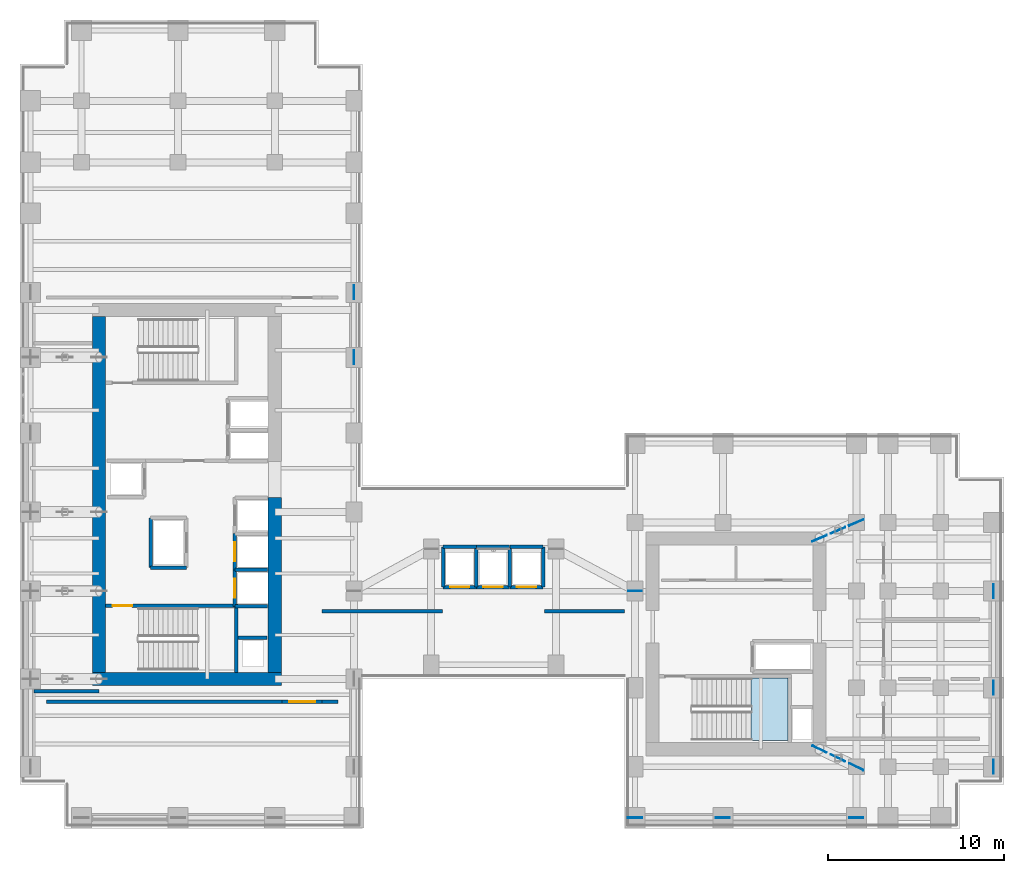
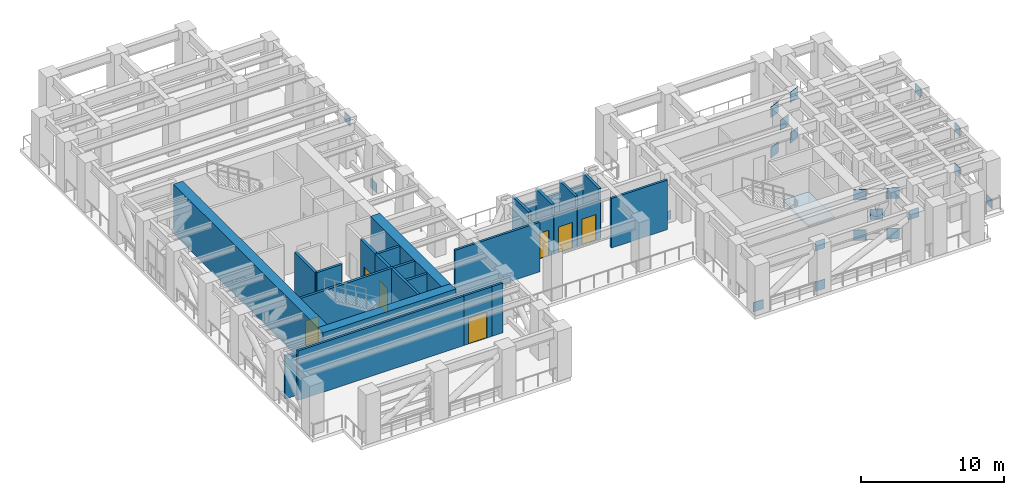
# One storey, part 9 of 16: 28 walls, 21 plates, 7 doors, 1 slab, 7 openings, 1 element without a shape of its own.
"""IFC4 building model written with IfcOpenShell, lengths in metres."""

from ifc_helpers import new_model, si_unit, direction, frame, frame_2d, origin, origin_2d, place, context, subcontext, project, spatial, polyline, rectangle, outline, extrude, source, transform, mapped, material, layer, layer_set, type_object, element, fill, aggregate, save


model = new_model("IFC4")

# Units and contexts
model_context = context("Model", 3, precision=1e-05, world=origin(), true_north=direction((0.0, 1.0)))
body_context = subcontext(model_context, "Body", "Model", "MODEL_VIEW")
ifc_project = project(units=[si_unit("LENGTHUNIT", "METRE"), si_unit("AREAUNIT", "SQUARE_METRE"), si_unit("VOLUMEUNIT", "CUBIC_METRE"), si_unit("PLANEANGLEUNIT", "RADIAN"), si_unit("MASSUNIT", "GRAM", prefix="KILO")], contexts=[model_context])

# Site, building, storey
site_placement = place(None, origin())
site = spatial("IfcSite", under=ifc_project, at=site_placement, CompositionType="ELEMENT")
building_placement = place(site_placement, origin())
building = spatial("IfcBuilding", under=site, at=building_placement, Name="Kharzan Plaza Tower", CompositionType="ELEMENT")
storey_placement = place(building_placement, frame((0.0, 0.0, 138.60009765625)))
storey = spatial("IfcBuildingStorey", under=building, at=storey_placement, Name="L37", CompositionType="ELEMENT", Elevation=138.60009765625)

# Stair, slab
ifc_material_1 = material(Name="Concrete C40/50", Category="concrete")
stair_type = type_object("IfcStairType", Name="STR-ST-3", PredefinedType="HALF_TURN_STAIR", material=ifc_material_1)
stair_placement = place(storey_placement, origin())
stair = element("IfcStair", 1, at=stair_placement, inside=storey, type_object=stair_type, Name="L37 Protected Exit Stair ST-3", PredefinedType="HALF_TURN_STAIR")
ifc_layer_1 = layer(ifc_material_1, 0.219970703125)
ifc_layer_set_1 = layer_set([ifc_layer_1], Name="Concrete C40/50")
slab_type = type_object("IfcSlabType", Name="SL-LANDING-220", PredefinedType="LANDING", material=ifc_layer_set_1)
slab_placement = place(storey_placement, frame((0.0, 0.0, 2.0498046875)))
slab = element("IfcSlab", 2, at=slab_placement, type_object=slab_type, Name="ST-3 landing 1", PredefinedType="LANDING", context=body_context, shape_type="SweptSolid", body=[
    extrude(outline(polyline([(41.610107421875, 5.0), (43.699951171875, 5.0), (43.699951171875, 8.550048828125), (41.610107421875, 8.550048828125), (41.610107421875, 5.0)])), origin(), (0.0, 0.0, 1.0), 0.2001953125),
])
aggregate(stair, [slab])

# Plates
ifc_material_2 = material(Name="Steel S460", Category="steel")
ifc_layer_2 = layer(ifc_material_2, 0.0400390625)
ifc_layer_set_2 = layer_set([ifc_layer_2], Name="Steel S460")
plate_type_1 = type_object("IfcPlateType", Name="PLT-BTN1", PredefinedType="USERDEFINED", material=ifc_layer_set_2)
shared_shape_1 = source(origin(), body_context, "Body", "SweptSolid", [
    extrude(rectangle(XDim=0.800048828125, YDim=0.0400390625, at=origin_2d()), origin(), (0.0, 0.0, 1.0), 0.800048828125),
])
for number, where, z_axis, x_axis, name in (
    (3, (19.0, 26.800048828125, -0.05029296875), (0.0, 0.0, 1.0), (0.0, 1.0, 0.0), "L37 Belt Truss Node Gusset Plate BTN1-BTA-2"),
    (4, (19.0, 30.5, 3.40966796875), (0.0, 0.0, 1.0), (0.0, 1.0, 0.0), "L37 Belt Truss Node Gusset Plate BTN1-T-BTA-2"),
    (5, (55.39990234375, 3.5, -0.05029296875), (0.0, 0.0, 1.0), (0.0, 1.0, 0.0), "L37 Belt Truss Node Gusset Plate BTN1-BTE-1"),
    (6, (55.39990234375, 8.0, 3.40966796875), (0.0, 0.0, 1.0), (0.0, 1.0, 0.0), "L37 Belt Truss Node Gusset Plate BTN1-T-BTE-1"),
    (7, (55.39990234375, 8.0, -0.05029296875), (0.0, 0.0, 1.0), (0.0, 1.0, 0.0), "L37 Belt Truss Node Gusset Plate BTN1-BTE-2"),
    (8, (55.39990234375, 13.5, 3.40966796875), (0.0, 0.0, 1.0), (0.0, 1.0, 0.0), "L37 Belt Truss Node Gusset Plate BTN1-T-BTE-2"),
    (9, (35.0, 0.60009765625, -0.05029296875), (0.0, 0.0, 1.0), (1.0, 0.0, 0.0), "L37 Belt Truss Node Gusset Plate BTN1-BTS-3"),
    (10, (40.0, 0.60009765625, 3.40966796875), (0.0, 0.0, 1.0), (1.0, 0.0, 0.0), "L37 Belt Truss Node Gusset Plate BTN1-T-BTS-3"),
    (11, (40.0, 0.60009765625, -0.05029296875), (0.0, 0.0, 1.0), (1.0, 0.0, 0.0), "L37 Belt Truss Node Gusset Plate BTN1-BTS-4"),
    (12, (47.60009765625, 0.60009765625, 3.40966796875), (0.0, 0.0, 1.0), (1.0, 0.0, 0.0), "L37 Belt Truss Node Gusset Plate BTN1-T-BTS-4"),
):
    element("IfcPlate", number, at=place(storey_placement, frame(where, z_axis=z_axis, x_axis=x_axis)), inside=storey, type_object=plate_type_1, Name=name, ObjectType="GUSSET_PLATE", PredefinedType="USERDEFINED", context=body_context, shape_type="MappedRepresentation", body=[
        mapped(shared_shape_1, transform((0.0, 0.0, 0.0), x_axis=(1.0, 0.0, 0.0), y_axis=(0.0, 1.0, 0.0), z_axis=(0.0, 0.0, 1.0))),
    ])
ifc_layer_3 = layer(ifc_material_2, 0.044921875)
ifc_layer_set_3 = layer_set([ifc_layer_3], Name="Steel S460")
plate_type_2 = type_object("IfcPlateType", Name="PLT-OTN1", PredefinedType="USERDEFINED", material=ifc_layer_set_3)
shared_shape_2 = source(origin(), body_context, "Body", "SweptSolid", [
    extrude(rectangle(XDim=0.89990234375, YDim=0.044921875, at=origin_2d()), origin(), (0.0, 0.0, 1.0), 0.89990234375),
])
for number, where, z_axis, x_axis, name in (
    (13, (45.5, 4.5, -0.10009765625), (0.0, 0.0, 1.0), (0.902860856957, -0.429932870312, 0.0), "L37 Outrigger Truss Gusset Node Plate OTN1-OTB-E1"),
    (14, (47.60009765625, 3.5, -0.10009765625), (0.0, 0.0, 1.0), (0.902860856957, -0.429932870312, 0.0), "L37 Outrigger Truss Gusset Node Plate OTN1-CB-OTB-E1"),
    (15, (47.60009765625, 3.5, 3.35986328125), (0.0, 0.0, 1.0), (0.902860856957, -0.429932870312, 0.0), "L37 Outrigger Truss Gusset Node Plate OTN1-CT-OTB-E1"),
    (16, (46.550048828125, 4.0, 1.6298828125), (0.0, 0.0, 1.0), (0.902860856957, -0.429932870312, 0.0), "L37 Outrigger Truss Gusset Node Plate OTN1-M-OTB-E1"),
    (17, (45.5, 4.5, 3.35986328125), (0.0, 0.0, 1.0), (0.902860856957, -0.429932870312, 0.0), "L37 Outrigger Truss Gusset Node Plate OTN1-T-OTB-E1"),
    (18, (45.5, 16.5, -0.10009765625), (0.0, 0.0, 1.0), (0.919144964798, 0.39391945076, 0.0), "L37 Outrigger Truss Gusset Node Plate OTN1-OTB-E2"),
    (19, (47.60009765625, 17.39990234375, -0.10009765625), (0.0, 0.0, 1.0), (0.919144964798, 0.39391945076, 0.0), "L37 Outrigger Truss Gusset Node Plate OTN1-CB-OTB-E2"),
    (20, (47.60009765625, 17.39990234375, 3.35986328125), (0.0, 0.0, 1.0), (0.919144964798, 0.39391945076, 0.0), "L37 Outrigger Truss Gusset Node Plate OTN1-CT-OTB-E2"),
    (21, (46.550048828125, 16.949951171875, 1.6298828125), (0.0, 0.0, 1.0), (0.919144964798, 0.39391945076, 0.0), "L37 Outrigger Truss Gusset Node Plate OTN1-M-OTB-E2"),
    (22, (45.5, 16.5, 3.35986328125), (0.0, 0.0, 1.0), (0.919144964798, 0.39391945076, 0.0), "L37 Outrigger Truss Gusset Node Plate OTN1-T-OTB-E2"),
):
    element("IfcPlate", number, at=place(storey_placement, frame(where, z_axis=z_axis, x_axis=x_axis)), inside=storey, type_object=plate_type_2, Name=name, ObjectType="GUSSET_PLATE", PredefinedType="USERDEFINED", context=body_context, shape_type="MappedRepresentation", body=[
        mapped(shared_shape_2, transform((0.0, 0.0, 0.0), x_axis=(1.0, 0.0, 0.0), y_axis=(0.0, 1.0, 0.0), z_axis=(0.0, 0.0, 1.0))),
    ])
ifc_layer_4 = layer(ifc_material_2, 0.0380859375)
ifc_layer_set_4 = layer_set([ifc_layer_4], Name="Steel S460")
plate_type_3 = type_object("IfcPlateType", Name="PLT-WPN1", PredefinedType="USERDEFINED", material=ifc_layer_set_4)
shared_shape_3 = source(origin(), body_context, "Body", "SweptSolid", [
    extrude(rectangle(XDim=0.75, YDim=0.0380859375, at=origin_2d()), origin(), (0.0, 0.0, 1.0), 0.75),
])
plate_placement = place(storey_placement, frame((35.0, 13.5, -0.175048828125), z_axis=(0.0, 0.0, 1.0), x_axis=(1.0, 0.0, 0.0)))
element("IfcPlate", 23, at=plate_placement, inside=storey, type_object=plate_type_3, Name="L37 Wind Portal Node Gusset Plate WPN1-EB", ObjectType="GUSSET_PLATE", PredefinedType="USERDEFINED", context=body_context, shape_type="MappedRepresentation", body=[
    mapped(shared_shape_3, transform((0.0, 0.0, 0.0), x_axis=(1.0, 0.0, 0.0), y_axis=(0.0, 1.0, 0.0), z_axis=(0.0, 0.0, 1.0))),
])

# Wall, opening, door
ifc_layer_5 = layer(ifc_material_1, 0.179931640625)
ifc_layer_set_5 = layer_set([ifc_layer_5], Name="Concrete C40/50")
wall_type_1 = type_object("IfcWallType", Name="WL-INT-FIRE-180", PredefinedType="PARTITIONING", material=ifc_layer_set_5)
wall_1_placement = place(storey_placement, frame((14.919921875, 7.199951171875, 0.0), z_axis=(0.0, 0.0, 1.0), x_axis=(1.0, 0.0, 0.0)))
wall_1 = element("IfcWall", 24, at=wall_1_placement, inside=storey, type_object=wall_type_1, Name="L37 Interior Partition MR-AHUD", PredefinedType="PARTITIONING", context=body_context, shape_type="SweptSolid", body=[
    extrude(rectangle(XDim=2.280029296875, YDim=0.179931640625, at=frame_2d((1.14013671875, 0.0))), origin(), (0.0, 0.0, 1.0), 4.244873046875),
])
opening_1_placement = place(wall_1_placement, frame((0.389892578125, 0.0, 0.0)))
opening_1 = element("IfcOpeningElement", 25, at=opening_1_placement, cuts=wall_1, Name="Opening PD1", PredefinedType="OPENING", context=body_context, shape_type="SweptSolid", body=[
    extrude(rectangle(XDim=1.5, YDim=2.199951171875, at=frame_2d((0.75, 1.10009765625))), frame((0.0, 0.099853515625, 0.0), z_axis=(0.0, -1.0, 0.0), x_axis=(1.0, 0.0, 0.0)), (0.0, 0.0, 1.0), 0.199951171875),
])
ifc_material_3 = material(Name="Galvanized Louvred Acoustic Steel", Category="steel")
door_type_1 = type_object("IfcDoorType", Name="DR-PLANT-DBL", OperationType="DOUBLE_DOOR_SINGLE_SWING", PredefinedType="DOOR", material=ifc_material_3)
shared_shape_4 = source(origin(), body_context, "Body", "SweptSolid", [
    extrude(rectangle(XDim=1.5, YDim=2.199951171875, at=frame_2d((0.75, 1.10009765625))), frame((0.0, 0.02490234375, 0.0), z_axis=(0.0, -1.0, 0.0), x_axis=(1.0, 0.0, 0.0)), (0.0, 0.0, 1.0), 0.050048828125),
])
door_1_placement = place(opening_1_placement, origin())
door_1 = element("IfcDoor", 26, at=door_1_placement, inside=storey, type_object=door_type_1, Name="L37 AHU Plant Double Door", OperationType="DOUBLE_DOOR_SINGLE_SWING", OverallHeight=2.199951171875, OverallWidth=1.5, PredefinedType="DOOR", context=body_context, shape_type="MappedRepresentation", body=[
    mapped(shared_shape_4, transform((0.0, 0.0, 0.0), x_axis=(1.0, 0.0, 0.0), y_axis=(0.0, 1.0, 0.0), z_axis=(0.0, 0.0, 1.0))),
])
fill(opening_1, door_1)

ifc_layer_6 = layer(ifc_material_1, 0.199951171875)
ifc_layer_set_6 = layer_set([ifc_layer_6], Name="Concrete C40/50")
wall_type_2 = type_object("IfcWallType", Name="WL-INT-SHAFT-200", PredefinedType="PARTITIONING", material=ifc_layer_set_6)
wall_2_placement = place(storey_placement, frame((12.22998046875, 12.6298828125, 0.0), z_axis=(0.0, 0.0, 1.0), x_axis=(0.0, 1.0, 0.0)))
wall_2 = element("IfcWall", 27, at=wall_2_placement, inside=storey, type_object=wall_type_2, Name="L37 Interior Partition SHF-PL-H1-W", PredefinedType="PARTITIONING", context=body_context, shape_type="SweptSolid", body=[
    extrude(rectangle(XDim=2.070068359375, YDim=0.199951171875, at=frame_2d((1.03515625, 0.0))), origin(), (0.0, 0.0, 1.0), 4.244873046875),
])
opening_2_placement = place(wall_2_placement, frame((0.485107421875, 0.0, 0.0)))
opening_2 = element("IfcOpeningElement", 28, at=opening_2_placement, cuts=wall_2, Name="Opening LD", PredefinedType="OPENING", context=body_context, shape_type="SweptSolid", body=[
    extrude(rectangle(XDim=1.10009765625, YDim=2.199951171875, at=frame_2d((0.550048828125, 1.10009765625))), frame((0.0, 0.10986328125, 0.0), z_axis=(0.0, -1.0, 0.0), x_axis=(1.0, 0.0, 0.0)), (0.0, 0.0, 1.0), 0.219970703125),
])
ifc_material_4 = material(Name="Brushed Stainless Steel", Category="steel")
door_type_2 = type_object("IfcDoorType", Name="DR-LIFT-SLIDE", OperationType="SLIDING_TO_LEFT", PredefinedType="DOOR", material=ifc_material_4)
shared_shape_5 = source(origin(), body_context, "Body", "SweptSolid", [
    extrude(rectangle(XDim=1.10009765625, YDim=2.199951171875, at=frame_2d((0.550048828125, 1.10009765625))), frame((0.0, 0.02490234375, 0.0), z_axis=(0.0, -1.0, 0.0), x_axis=(1.0, 0.0, 0.0)), (0.0, 0.0, 1.0), 0.050048828125),
])
door_2_placement = place(opening_2_placement, origin())
door_2 = element("IfcDoor", 29, at=door_2_placement, inside=storey, type_object=door_type_2, Name="L37 High-Rise Passenger Lift PL-H1 Sliding Landing Door", OperationType="SLIDING_TO_LEFT", OverallHeight=2.199951171875, OverallWidth=1.10009765625, PredefinedType="DOOR", context=body_context, shape_type="MappedRepresentation", body=[
    mapped(shared_shape_5, transform((0.0, 0.0, 0.0), x_axis=(1.0, 0.0, 0.0), y_axis=(0.0, 1.0, 0.0), z_axis=(0.0, 0.0, 1.0))),
])
fill(opening_2, door_2)

wall_3_placement = place(storey_placement, frame((12.22998046875, 14.699951171875, 0.0), z_axis=(0.0, 0.0, 1.0), x_axis=(0.0, 1.0, 0.0)))
wall_3 = element("IfcWall", 30, at=wall_3_placement, inside=storey, type_object=wall_type_2, Name="L37 Interior Partition SHF-PL-H2-W", PredefinedType="PARTITIONING", context=body_context, shape_type="SweptSolid", body=[
    extrude(rectangle(XDim=2.070068359375, YDim=0.199951171875, at=frame_2d((1.03515625, 0.0))), origin(), (0.0, 0.0, 1.0), 4.244873046875),
])
opening_3_placement = place(wall_3_placement, frame((0.485107421875, 0.0, 0.0)))
opening_3 = element("IfcOpeningElement", 31, at=opening_3_placement, cuts=wall_3, Name="Opening LD", PredefinedType="OPENING", context=body_context, shape_type="SweptSolid", body=[
    extrude(rectangle(XDim=1.10009765625, YDim=2.199951171875, at=frame_2d((0.550048828125, 1.10009765625))), frame((0.0, 0.10986328125, 0.0), z_axis=(0.0, -1.0, 0.0), x_axis=(1.0, 0.0, 0.0)), (0.0, 0.0, 1.0), 0.219970703125),
])
door_3_placement = place(opening_3_placement, origin())
door_3 = element("IfcDoor", 32, at=door_3_placement, inside=storey, type_object=door_type_2, Name="L37 High-Rise Passenger Lift PL-H2 Sliding Landing Door", OperationType="SLIDING_TO_LEFT", OverallHeight=2.199951171875, OverallWidth=1.10009765625, PredefinedType="DOOR", context=body_context, shape_type="MappedRepresentation", body=[
    mapped(shared_shape_5, transform((0.0, 0.0, 0.0), x_axis=(1.0, 0.0, 0.0), y_axis=(0.0, 1.0, 0.0), z_axis=(0.0, 0.0, 1.0))),
])
fill(opening_3, door_3)

wall_4_placement = place(storey_placement, frame((24.080078125, 13.72998046875, 0.0), z_axis=(0.0, 0.0, 1.0), x_axis=(1.0, 0.0, 0.0)))
wall_4 = element("IfcWall", 33, at=wall_4_placement, inside=storey, type_object=wall_type_2, Name="L37 Interior Partition SHF-PL-M1-S", PredefinedType="PARTITIONING", context=body_context, shape_type="SweptSolid", body=[
    extrude(rectangle(XDim=1.889892578125, YDim=0.199951171875, at=frame_2d((0.94482421875, 0.0))), origin(), (0.0, 0.0, 1.0), 3.325927734375),
])
opening_4_placement = place(wall_4_placement, frame((0.39501953125, 0.0, 0.0)))
opening_4 = element("IfcOpeningElement", 34, at=opening_4_placement, cuts=wall_4, Name="Opening LD", PredefinedType="OPENING", context=body_context, shape_type="SweptSolid", body=[
    extrude(rectangle(XDim=1.10009765625, YDim=2.199951171875, at=frame_2d((0.550048828125, 1.10009765625))), frame((0.0, 0.10986328125, 0.0), z_axis=(0.0, -1.0, 0.0), x_axis=(1.0, 0.0, 0.0)), (0.0, 0.0, 1.0), 0.219970703125),
])
door_4_placement = place(opening_4_placement, origin())
door_4 = element("IfcDoor", 35, at=door_4_placement, inside=storey, type_object=door_type_2, Name="L37 Mid-Rise Passenger Lift PL-M1 Sliding Landing Door", OperationType="SLIDING_TO_LEFT", OverallHeight=2.199951171875, OverallWidth=1.10009765625, PredefinedType="DOOR", context=body_context, shape_type="MappedRepresentation", body=[
    mapped(shared_shape_5, transform((0.0, 0.0, 0.0), x_axis=(1.0, 0.0, 0.0), y_axis=(0.0, 1.0, 0.0), z_axis=(0.0, 0.0, 1.0))),
])
fill(opening_4, door_4)

wall_5_placement = place(storey_placement, frame((25.97998046875, 13.72998046875, 0.0), z_axis=(0.0, 0.0, 1.0), x_axis=(1.0, 0.0, 0.0)))
wall_5 = element("IfcWall", 36, at=wall_5_placement, inside=storey, type_object=wall_type_2, Name="L37 Interior Partition SHF-PL-M2-S", PredefinedType="PARTITIONING", context=body_context, shape_type="SweptSolid", body=[
    extrude(rectangle(XDim=1.89013671875, YDim=0.199951171875, at=frame_2d((0.945068359375, 0.0))), origin(), (0.0, 0.0, 1.0), 3.325927734375),
])
opening_5_placement = place(wall_5_placement, frame((0.39501953125, 0.0, 0.0)))
opening_5 = element("IfcOpeningElement", 37, at=opening_5_placement, cuts=wall_5, Name="Opening LD", PredefinedType="OPENING", context=body_context, shape_type="SweptSolid", body=[
    extrude(rectangle(XDim=1.10009765625, YDim=2.199951171875, at=frame_2d((0.550048828125, 1.10009765625))), frame((0.0, 0.10986328125, 0.0), z_axis=(0.0, -1.0, 0.0), x_axis=(1.0, 0.0, 0.0)), (0.0, 0.0, 1.0), 0.219970703125),
])
door_5_placement = place(opening_5_placement, origin())
door_5 = element("IfcDoor", 38, at=door_5_placement, inside=storey, type_object=door_type_2, Name="L37 Mid-Rise Passenger Lift PL-M2 Sliding Landing Door", OperationType="SLIDING_TO_LEFT", OverallHeight=2.199951171875, OverallWidth=1.10009765625, PredefinedType="DOOR", context=body_context, shape_type="MappedRepresentation", body=[
    mapped(shared_shape_5, transform((0.0, 0.0, 0.0), x_axis=(1.0, 0.0, 0.0), y_axis=(0.0, 1.0, 0.0), z_axis=(0.0, 0.0, 1.0))),
])
fill(opening_5, door_5)

wall_6_placement = place(storey_placement, frame((27.8798828125, 13.72998046875, 0.0), z_axis=(0.0, 0.0, 1.0), x_axis=(1.0, 0.0, 0.0)))
wall_6 = element("IfcWall", 39, at=wall_6_placement, inside=storey, type_object=wall_type_2, Name="L37 Interior Partition SHF-PL-M3-S", PredefinedType="PARTITIONING", context=body_context, shape_type="SweptSolid", body=[
    extrude(rectangle(XDim=1.89013671875, YDim=0.199951171875, at=frame_2d((0.945068359375, 0.0))), origin(), (0.0, 0.0, 1.0), 3.325927734375),
])
opening_6_placement = place(wall_6_placement, frame((0.39501953125, 0.0, 0.0)))
opening_6 = element("IfcOpeningElement", 40, at=opening_6_placement, cuts=wall_6, Name="Opening LD", PredefinedType="OPENING", context=body_context, shape_type="SweptSolid", body=[
    extrude(rectangle(XDim=1.10009765625, YDim=2.199951171875, at=frame_2d((0.550048828125, 1.10009765625))), frame((0.0, 0.10986328125, 0.0), z_axis=(0.0, -1.0, 0.0), x_axis=(1.0, 0.0, 0.0)), (0.0, 0.0, 1.0), 0.219970703125),
])
door_6_placement = place(opening_6_placement, origin())
door_6 = element("IfcDoor", 41, at=door_6_placement, inside=storey, type_object=door_type_2, Name="L37 Mid-Rise Passenger Lift PL-M3 Sliding Landing Door", OperationType="SLIDING_TO_LEFT", OverallHeight=2.199951171875, OverallWidth=1.10009765625, PredefinedType="DOOR", context=body_context, shape_type="MappedRepresentation", body=[
    mapped(shared_shape_5, transform((0.0, 0.0, 0.0), x_axis=(1.0, 0.0, 0.0), y_axis=(0.0, 1.0, 0.0), z_axis=(0.0, 0.0, 1.0))),
])
fill(opening_6, door_6)

ifc_material_5 = material(Name="Concrete C50/60", Category="concrete")
ifc_layer_7 = layer(ifc_material_5, 0.199951171875)
ifc_layer_set_7 = layer_set([ifc_layer_7], Name="Concrete C50/60")
wall_type_3 = type_object("IfcWallType", Name="WL-SHAFT-RC200", PredefinedType="SHEAR", material=ifc_layer_set_7)
wall_7_placement = place(storey_placement, frame((4.876953125, 12.655029296875, 0.0), z_axis=(0.0, 0.0, 1.0), x_axis=(1.0, 0.0, 0.0)))
wall_7 = element("IfcWall", 42, at=wall_7_placement, inside=storey, type_object=wall_type_3, Name="L37 Stair ST-1 North RC Shaft Wall", PredefinedType="SHEAR", context=body_context, shape_type="SweptSolid", body=[
    extrude(rectangle(XDim=7.528076171875, YDim=0.199951171875, at=frame_2d((3.76416015625, 0.0))), origin(), (0.0, 0.0, 1.0), 4.260009765625),
])
opening_7_placement = place(wall_7_placement, frame((0.39990234375, 0.0, 0.0)))
opening_7 = element("IfcOpeningElement", 43, at=opening_7_placement, cuts=wall_7, Name="Opening SD1", PredefinedType="OPENING", context=body_context, shape_type="SweptSolid", body=[
    extrude(rectangle(XDim=1.10009765625, YDim=2.14990234375, at=frame_2d((0.550048828125, 1.074951171875))), frame((0.0, 0.10986328125, 0.0), z_axis=(0.0, -1.0, 0.0), x_axis=(1.0, 0.0, 0.0)), (0.0, 0.0, 1.0), 0.219970703125),
])
ifc_material_6 = material(Name="Fire-Rated Hollow Galvanized Steel", Category="steel")
door_type_3 = type_object("IfcDoorType", Name="DR-STAIR-FD120", OperationType="NOTDEFINED", PredefinedType="DOOR", material=ifc_material_6)
shared_shape_6 = source(origin(), body_context, "Body", "SweptSolid", [
    extrude(rectangle(XDim=1.10009765625, YDim=2.14990234375, at=frame_2d((0.550048828125, 1.074951171875))), frame((0.0, 0.02490234375, 0.0), z_axis=(0.0, -1.0, 0.0), x_axis=(1.0, 0.0, 0.0)), (0.0, 0.0, 1.0), 0.050048828125),
])
door_7_placement = place(opening_7_placement, origin())
door_7 = element("IfcDoor", 44, at=door_7_placement, inside=storey, type_object=door_type_3, Name="L37 Stair ST-1 Fire Exit Door", OperationType="SINGLE_SWING_RIGHT", OverallHeight=2.14990234375, OverallWidth=1.10009765625, PredefinedType="DOOR", context=body_context, shape_type="MappedRepresentation", body=[
    mapped(shared_shape_6, transform((0.0, 0.0, 0.0), x_axis=(1.0, 0.0, 0.0), y_axis=(0.0, 1.0, 0.0), z_axis=(0.0, 0.0, 1.0))),
])
fill(opening_7, door_7)

# Walls
shared_shape_7 = source(origin(), body_context, "Body", "SweptSolid", [
    extrude(rectangle(XDim=3.699951171875, YDim=0.179931640625, at=frame_2d((1.85009765625, 0.0))), origin(), (0.0, 0.0, 1.0), 3.7080078125),
])
wall_8_placement = place(storey_placement, frame((0.800048828125, 7.800048828125, 0.0), z_axis=(0.0, 0.0, 1.0), x_axis=(1.0, 0.0, 0.0)))
element("IfcWall", 45, at=wall_8_placement, inside=storey, type_object=wall_type_1, Name="L37 Interior Partition MR-OTWS", PredefinedType="PARTITIONING", context=body_context, shape_type="MappedRepresentation", body=[
    mapped(shared_shape_7, transform((0.0, 0.0, 0.0), x_axis=(1.0, 0.0, 0.0), y_axis=(0.0, 1.0, 0.0), z_axis=(0.0, 0.0, 1.0))),
])
ifc_material_7 = material(Name="Concrete C60/75", Category="concrete")
ifc_layer_8 = layer(ifc_material_7, 0.75)
ifc_layer_set_8 = layer_set([ifc_layer_8], Name="Concrete C60/75")
wall_type_4 = type_object("IfcWallType", Name="WL-CORE-750", PredefinedType="SHEAR", material=ifc_layer_set_8)
shared_shape_8 = source(origin(), body_context, "Body", "SweptSolid", [
    extrude(rectangle(XDim=9.945068359375, YDim=0.75, at=frame_2d((4.97265625, 0.0))), origin(), (0.0, 0.0, 1.0), 4.260009765625),
])
wall_9_placement = place(storey_placement, frame((14.5, 8.875, 0.0), z_axis=(0.0, 0.0, 1.0), x_axis=(0.0, 1.0, 0.0)))
element("IfcWall", 46, at=wall_9_placement, inside=storey, type_object=wall_type_4, Name="L37 CORE-A east shear pier 1", PredefinedType="SHEAR", context=body_context, shape_type="MappedRepresentation", body=[
    mapped(shared_shape_8, transform((0.0, 0.0, 0.0), x_axis=(1.0, 0.0, 0.0), y_axis=(0.0, 1.0, 0.0), z_axis=(0.0, 0.0, 1.0))),
])
shared_shape_9 = source(origin(), body_context, "Body", "SweptSolid", [
    extrude(rectangle(XDim=10.75, YDim=0.75, at=frame_2d((5.375, 0.0))), origin(), (0.0, 0.0, 1.0), 4.260009765625),
])
wall_10_placement = place(storey_placement, frame((4.125, 8.5, 0.0), z_axis=(0.0, 0.0, 1.0), x_axis=(1.0, 0.0, 0.0)))
element("IfcWall", 47, at=wall_10_placement, inside=storey, type_object=wall_type_4, Name="L37 CORE-A south RC shear wall", PredefinedType="SHEAR", context=body_context, shape_type="MappedRepresentation", body=[
    mapped(shared_shape_9, transform((0.0, 0.0, 0.0), x_axis=(1.0, 0.0, 0.0), y_axis=(0.0, 1.0, 0.0), z_axis=(0.0, 0.0, 1.0))),
])
shared_shape_10 = source(origin(), body_context, "Body", "SweptSolid", [
    extrude(rectangle(XDim=20.25, YDim=0.75, at=frame_2d((10.125, 0.0))), origin(), (0.0, 0.0, 1.0), 4.260009765625),
])
wall_11_placement = place(storey_placement, frame((4.5, 8.875, 0.0), z_axis=(0.0, 0.0, 1.0), x_axis=(0.0, 1.0, 0.0)))
element("IfcWall", 48, at=wall_11_placement, inside=storey, type_object=wall_type_4, Name="L37 CORE-A west RC shear wall", PredefinedType="SHEAR", context=body_context, shape_type="MappedRepresentation", body=[
    mapped(shared_shape_10, transform((0.0, 0.0, 0.0), x_axis=(1.0, 0.0, 0.0), y_axis=(0.0, 1.0, 0.0), z_axis=(0.0, 0.0, 1.0))),
])
shared_shape_11 = source(origin(), body_context, "Body", "SweptSolid", [
    extrude(rectangle(XDim=13.419921875, YDim=0.179931640625, at=frame_2d((6.7099609375, 0.0))), origin(), (0.0, 0.0, 1.0), 4.244873046875),
])
wall_12_placement = place(storey_placement, frame((1.5, 7.199951171875, 0.0), z_axis=(0.0, 0.0, 1.0), x_axis=(1.0, 0.0, 0.0)))
element("IfcWall", 49, at=wall_12_placement, inside=storey, type_object=wall_type_1, Name="L37 Interior Partition MR-AHUW", PredefinedType="PARTITIONING", context=body_context, shape_type="MappedRepresentation", body=[
    mapped(shared_shape_11, transform((0.0, 0.0, 0.0), x_axis=(1.0, 0.0, 0.0), y_axis=(0.0, 1.0, 0.0), z_axis=(0.0, 0.0, 1.0))),
])
shared_shape_12 = source(origin(), body_context, "Body", "SweptSolid", [
    extrude(rectangle(XDim=0.900146484375, YDim=0.179931640625, at=frame_2d((0.4501953125, 0.0))), origin(), (0.0, 0.0, 1.0), 4.244873046875),
])
wall_13_placement = place(storey_placement, frame((17.199951171875, 7.199951171875, 0.0), z_axis=(0.0, 0.0, 1.0), x_axis=(1.0, 0.0, 0.0)))
element("IfcWall", 50, at=wall_13_placement, inside=storey, type_object=wall_type_1, Name="L37 Interior Partition MR-AHUWE", PredefinedType="PARTITIONING", context=body_context, shape_type="MappedRepresentation", body=[
    mapped(shared_shape_12, transform((0.0, 0.0, 0.0), x_axis=(1.0, 0.0, 0.0), y_axis=(0.0, 1.0, 0.0), z_axis=(0.0, 0.0, 1.0))),
])
shared_shape_13 = source(origin(), body_context, "Body", "SweptSolid", [
    extrude(rectangle(XDim=6.85009765625, YDim=0.179931640625, at=frame_2d((3.425048828125, 0.0))), origin(), (0.0, 0.0, 1.0), 4.244873046875),
])
wall_14_placement = place(storey_placement, frame((17.199951171875, 12.35009765625, 0.0), z_axis=(0.0, 0.0, 1.0), x_axis=(1.0, 0.0, 0.0)))
element("IfcWall", 51, at=wall_14_placement, inside=storey, type_object=wall_type_1, Name="L37 Interior Partition MR-SPN-CL1", PredefinedType="PARTITIONING", context=body_context, shape_type="MappedRepresentation", body=[
    mapped(shared_shape_13, transform((0.0, 0.0, 0.0), x_axis=(1.0, 0.0, 0.0), y_axis=(0.0, 1.0, 0.0), z_axis=(0.0, 0.0, 1.0))),
])
shared_shape_14 = source(origin(), body_context, "Body", "SweptSolid", [
    extrude(rectangle(XDim=4.5498046875, YDim=0.179931640625, at=frame_2d((2.27490234375, 0.0))), origin(), (0.0, 0.0, 1.0), 4.244873046875),
])
wall_15_placement = place(storey_placement, frame((29.85009765625, 12.35009765625, 0.0), z_axis=(0.0, 0.0, 1.0), x_axis=(1.0, 0.0, 0.0)))
element("IfcWall", 52, at=wall_15_placement, inside=storey, type_object=wall_type_1, Name="L37 Interior Partition MR-SPN-CL2", PredefinedType="PARTITIONING", context=body_context, shape_type="MappedRepresentation", body=[
    mapped(shared_shape_14, transform((0.0, 0.0, 0.0), x_axis=(1.0, 0.0, 0.0), y_axis=(0.0, 1.0, 0.0), z_axis=(0.0, 0.0, 1.0))),
])
shared_shape_15 = source(origin(), body_context, "Body", "SweptSolid", [
    extrude(rectangle(XDim=1.630126953125, YDim=0.199951171875, at=frame_2d((0.81494140625, 0.0))), origin(), (0.0, 0.0, 1.0), 4.244873046875),
])
wall_16_placement = place(storey_placement, frame((12.419921875, 10.85009765625, 0.0), z_axis=(0.0, 0.0, 1.0), x_axis=(1.0, 0.0, 0.0)))
element("IfcWall", 53, at=wall_16_placement, inside=storey, type_object=wall_type_2, Name="L37 Interior Partition CA-RSRA-N", PredefinedType="PARTITIONING", context=body_context, shape_type="MappedRepresentation", body=[
    mapped(shared_shape_15, transform((0.0, 0.0, 0.0), x_axis=(1.0, 0.0, 0.0), y_axis=(0.0, 1.0, 0.0), z_axis=(0.0, 0.0, 1.0))),
])
shared_shape_16 = source(origin(), body_context, "Body", "SweptSolid", [
    extrude(rectangle(XDim=1.864990234375, YDim=0.199951171875, at=frame_2d((0.9326171875, 0.0))), origin(), (0.0, 0.0, 1.0), 4.244873046875),
])
for number, where, z_axis, x_axis, name in (
    (54, (12.22998046875, 14.699951171875, 0.0), (0.0, 0.0, 1.0), (1.0, 0.0, 0.0), "L37 Interior Partition SHF-PL-H1-N"),
    (55, (12.22998046875, 12.6298828125, 0.0), (0.0, 0.0, 1.0), (1.0, 0.0, 0.0), "L37 Interior Partition SHF-PL-H1-S"),
):
    element("IfcWall", number, at=place(storey_placement, frame(where, z_axis=z_axis, x_axis=x_axis)), inside=storey, type_object=wall_type_2, Name=name, PredefinedType="PARTITIONING", context=body_context, shape_type="MappedRepresentation", body=[
        mapped(shared_shape_16, transform((0.0, 0.0, 0.0), x_axis=(1.0, 0.0, 0.0), y_axis=(0.0, 1.0, 0.0), z_axis=(0.0, 0.0, 1.0))),
    ])
shared_shape_17 = source(origin(), body_context, "Body", "SweptSolid", [
    extrude(rectangle(XDim=2.2900390625, YDim=0.199951171875, at=frame_2d((1.14501953125, 0.0))), origin(), (0.0, 0.0, 1.0), 4.244873046875),
])
for number, where, z_axis, x_axis, name in (
    (56, (25.969970703125, 13.72998046875, 0.0), (0.0, 0.0, 1.0), (0.0, 1.0, 0.0), "L37 Interior Partition SHF-PL-M1-E"),
    (57, (24.080078125, 13.72998046875, 0.0), (0.0, 0.0, 1.0), (0.0, 1.0, 0.0), "L37 Interior Partition SHF-PL-M1-W"),
    (58, (27.8701171875, 13.72998046875, 0.0), (0.0, 0.0, 1.0), (0.0, 1.0, 0.0), "L37 Interior Partition SHF-PL-M2-E"),
    (59, (29.77001953125, 13.72998046875, 0.0), (0.0, 0.0, 1.0), (0.0, 1.0, 0.0), "L37 Interior Partition SHF-PL-M3-E"),
):
    element("IfcWall", number, at=place(storey_placement, frame(where, z_axis=z_axis, x_axis=x_axis)), inside=storey, type_object=wall_type_2, Name=name, PredefinedType="PARTITIONING", context=body_context, shape_type="MappedRepresentation", body=[
        mapped(shared_shape_17, transform((0.0, 0.0, 0.0), x_axis=(1.0, 0.0, 0.0), y_axis=(0.0, 1.0, 0.0), z_axis=(0.0, 0.0, 1.0))),
    ])
shared_shape_18 = source(origin(), body_context, "Body", "SweptSolid", [
    extrude(rectangle(XDim=1.889892578125, YDim=0.199951171875, at=frame_2d((0.94482421875, 0.0))), origin(), (0.0, 0.0, 1.0), 3.244873046875),
])
wall_17_placement = place(storey_placement, frame((24.080078125, 16.02001953125, 0.0), z_axis=(0.0, 0.0, 1.0), x_axis=(1.0, 0.0, 0.0)))
element("IfcWall", 60, at=wall_17_placement, inside=storey, type_object=wall_type_2, Name="L37 Interior Partition SHF-PL-M1-N", PredefinedType="PARTITIONING", context=body_context, shape_type="MappedRepresentation", body=[
    mapped(shared_shape_18, transform((0.0, 0.0, 0.0), x_axis=(1.0, 0.0, 0.0), y_axis=(0.0, 1.0, 0.0), z_axis=(0.0, 0.0, 1.0))),
])
shared_shape_19 = source(origin(), body_context, "Body", "SweptSolid", [
    extrude(rectangle(XDim=1.89013671875, YDim=0.199951171875, at=frame_2d((0.945068359375, 0.0))), origin(), (0.0, 0.0, 1.0), 3.244873046875),
])
for number, where, z_axis, x_axis, name in (
    (61, (25.97998046875, 16.02001953125, 0.0), (0.0, 0.0, 1.0), (1.0, 0.0, 0.0), "L37 Interior Partition SHF-PL-M2-N"),
    (62, (27.8798828125, 16.02001953125, 0.0), (0.0, 0.0, 1.0), (1.0, 0.0, 0.0), "L37 Interior Partition SHF-PL-M3-N"),
):
    element("IfcWall", number, at=place(storey_placement, frame(where, z_axis=z_axis, x_axis=x_axis)), inside=storey, type_object=wall_type_2, Name=name, PredefinedType="PARTITIONING", context=body_context, shape_type="MappedRepresentation", body=[
        mapped(shared_shape_19, transform((0.0, 0.0, 0.0), x_axis=(1.0, 0.0, 0.0), y_axis=(0.0, 1.0, 0.0), z_axis=(0.0, 0.0, 1.0))),
    ])
shared_shape_20 = source(origin(), body_context, "Body", "SweptSolid", [
    extrude(rectangle(XDim=2.0400390625, YDim=0.199951171875, at=frame_2d((1.02001953125, 0.0))), origin(), (0.0, 0.0, 1.0), 4.244873046875),
])
wall_18_placement = place(storey_placement, frame((7.429931640625, 14.830078125, 0.0), z_axis=(0.0, 0.0, 1.0), x_axis=(1.0, 0.0, 0.0)))
element("IfcWall", 63, at=wall_18_placement, inside=storey, type_object=wall_type_2, Name="L37 Interior Partition SHF-SVL-1-S", PredefinedType="PARTITIONING", context=body_context, shape_type="MappedRepresentation", body=[
    mapped(shared_shape_20, transform((0.0, 0.0, 0.0), x_axis=(1.0, 0.0, 0.0), y_axis=(0.0, 1.0, 0.0), z_axis=(0.0, 0.0, 1.0))),
])
shared_shape_21 = source(origin(), body_context, "Body", "SweptSolid", [
    extrude(rectangle(XDim=2.83984375, YDim=0.199951171875, at=frame_2d((1.419921875, 0.0))), origin(), (0.0, 0.0, 1.0), 4.244873046875),
])
wall_19_placement = place(storey_placement, frame((7.429931640625, 14.830078125, 0.0), z_axis=(0.0, 0.0, 1.0), x_axis=(0.0, 1.0, 0.0)))
element("IfcWall", 64, at=wall_19_placement, inside=storey, type_object=wall_type_2, Name="L37 Interior Partition SHF-SVL-1-W", PredefinedType="PARTITIONING", context=body_context, shape_type="MappedRepresentation", body=[
    mapped(shared_shape_21, transform((0.0, 0.0, 0.0), x_axis=(1.0, 0.0, 0.0), y_axis=(0.0, 1.0, 0.0), z_axis=(0.0, 0.0, 1.0))),
])
shared_shape_22 = source(origin(), body_context, "Body", "SweptSolid", [
    extrude(rectangle(XDim=3.677978515625, YDim=0.199951171875, at=frame_2d((1.8388671875, 0.0))), origin(), (0.0, 0.0, 1.0), 4.260009765625),
])
wall_20_placement = place(storey_placement, frame((12.304931640625, 8.876953125, 0.0), z_axis=(0.0, 0.0, 1.0), x_axis=(0.0, 1.0, 0.0)))
element("IfcWall", 65, at=wall_20_placement, inside=storey, type_object=wall_type_3, Name="L37 Stair ST-1 East RC Shaft Wall", PredefinedType="SHEAR", context=body_context, shape_type="MappedRepresentation", body=[
    mapped(shared_shape_22, transform((0.0, 0.0, 0.0), x_axis=(1.0, 0.0, 0.0), y_axis=(0.0, 1.0, 0.0), z_axis=(0.0, 0.0, 1.0))),
])

save(model, "model.ifc")
